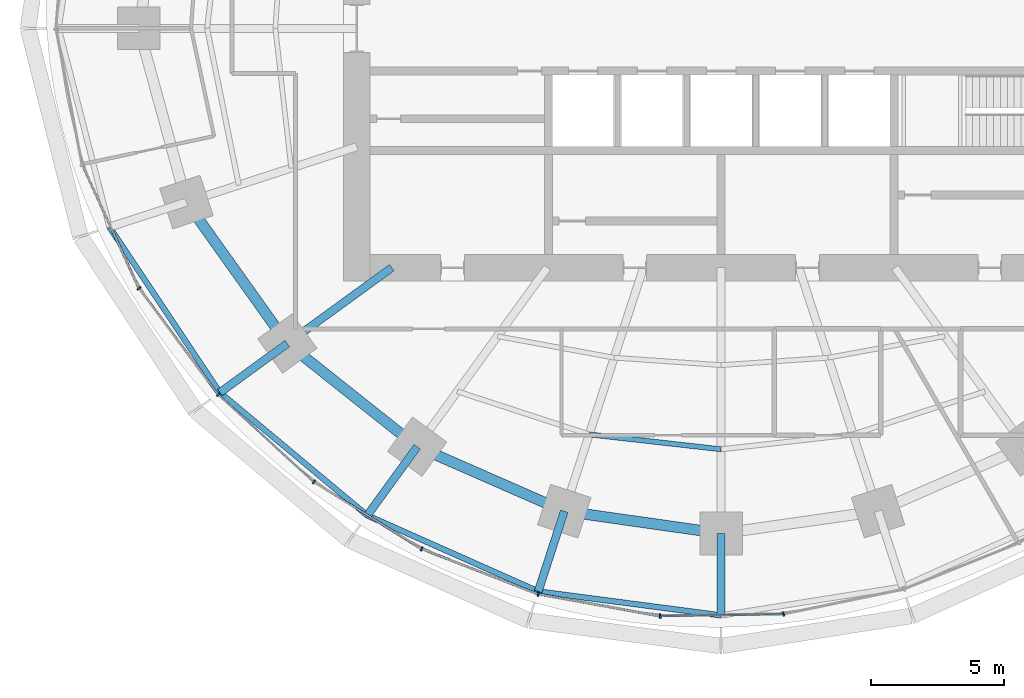
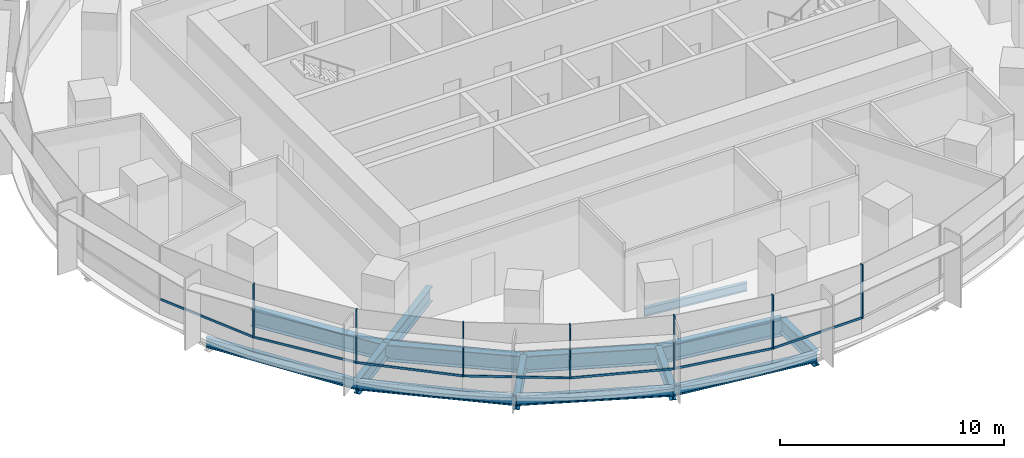
# One storey, part 2 of 14: 14 beams, 14 members, 2 elements without a shape of their own.
"""IFC4 building model written with IfcOpenShell, lengths in metres."""

from ifc_helpers import new_model, si_unit, direction, frame, origin, origin_2d, place, context, subcontext, project, spatial, rectangle, i_section, extrude, material, material_profile, profile_set, type_object, element, aggregate, save


model = new_model("IFC4")

# Units and contexts
model_context = context("Model", 3, precision=1e-05, world=origin(), true_north=direction((0.0, 1.0)))
body_context = subcontext(model_context, "Body", "Model", "MODEL_VIEW")
ifc_project = project(units=[si_unit("LENGTHUNIT", "METRE"), si_unit("AREAUNIT", "SQUARE_METRE"), si_unit("VOLUMEUNIT", "CUBIC_METRE"), si_unit("PLANEANGLEUNIT", "RADIAN"), si_unit("MASSUNIT", "GRAM", prefix="KILO")], contexts=[model_context])

# Site, building, storey
site_placement = place(None, origin())
site = spatial("IfcSite", under=ifc_project, at=site_placement, CompositionType="ELEMENT")
building_placement = place(site_placement, origin())
building = spatial("IfcBuilding", under=site, at=building_placement, Name="Marramba Exchange Tower", CompositionType="ELEMENT")
storey_placement = place(building_placement, frame((0.0, 0.0, 150.89990234375)))
storey = spatial("IfcBuildingStorey", under=building, at=storey_placement, Name="L36", CompositionType="ELEMENT", Elevation=150.89990234375)

# Beams
ifc_material_1 = material(Name="Steel AS/NZS 3679.2 grade 300", Category="steel")
ifc_material_profile_1 = material_profile(ifc_material_1, i_section(OverallWidth=0.300048828125, OverallDepth=0.800048828125, WebThickness=0.013916015625, FlangeThickness=0.031982421875, at=origin_2d()), Name="800WB192")
ifc_profile_set_1 = profile_set([ifc_material_profile_1], Name="Steel AS/NZS 3679.2 grade 300")
beam_type_1 = type_object("IfcBeamType", Name="Cantilever girder 800WB192", PredefinedType="BEAM", material=ifc_profile_set_1)
beam_1_placement = place(storey_placement, frame((-16.3154296875, -11.853759765625, -0.559814453125), z_axis=(-0.809025813822, -0.587773113173, 0.0), x_axis=(0.587773113173, -0.809025813822, 0.0)))
element("IfcBeam", 1, at=beam_1_placement, inside=storey, type_object=beam_type_1, Name="Cantilever girder L36 TC13", PredefinedType="BEAM", context=body_context, shape_type="SweptSolid", body=[
    extrude(i_section(OverallWidth=0.300048828125, OverallDepth=0.800048828125, WebThickness=0.013916015625, FlangeThickness=0.031982421875, at=origin_2d()), origin(), (0.0, 0.0, 1.0), 3.132568359375),
])
beam_2_placement = place(storey_placement, frame((-11.430419921875, -15.732666015625, -0.559814453125), z_axis=(-0.587767308424, -0.809030031054, 0.0), x_axis=(0.809030031054, -0.587767308424, 0.0)))
element("IfcBeam", 2, at=beam_2_placement, inside=storey, type_object=beam_type_1, Name="Cantilever girder L36 TC14", PredefinedType="BEAM", context=body_context, shape_type="SweptSolid", body=[
    extrude(i_section(OverallWidth=0.300048828125, OverallDepth=0.800048828125, WebThickness=0.013916015625, FlangeThickness=0.031982421875, at=origin_2d()), origin(), (0.0, 0.0, 1.0), 3.195556640625),
])
beam_3_placement = place(storey_placement, frame((-5.899658203125, -18.156982421875, -0.559814453125), z_axis=(-0.309018232614, -0.951056113966, 0.0), x_axis=(0.951056113966, -0.309018232614, 0.0)))
element("IfcBeam", 3, at=beam_3_placement, inside=storey, type_object=beam_type_1, Name="Cantilever girder L36 TC15", PredefinedType="BEAM", context=body_context, shape_type="SweptSolid", body=[
    extrude(i_section(OverallWidth=0.300048828125, OverallDepth=0.800048828125, WebThickness=0.013916015625, FlangeThickness=0.031982421875, at=origin_2d()), origin(), (0.0, 0.0, 1.0), 3.173583984375),
])
beam_4_placement = place(storey_placement, frame((0.0, -18.99609375, -0.559814453125), z_axis=(0.0, -1.0, 0.0), x_axis=(1.0, 0.0, 0.0)))
element("IfcBeam", 4, at=beam_4_placement, inside=storey, type_object=beam_type_1, Name="Cantilever girder L36 TC16", PredefinedType="BEAM", context=body_context, shape_type="SweptSolid", body=[
    extrude(i_section(OverallWidth=0.300048828125, OverallDepth=0.800048828125, WebThickness=0.013916015625, FlangeThickness=0.031982421875, at=origin_2d()), origin(), (0.0, 0.0, 1.0), 3.080810546875),
])
ifc_material_2 = material(Name="Steel AS/NZS 3679.1 grade 300", Category="steel")
ifc_material_profile_2 = material_profile(ifc_material_2, i_section(OverallWidth=0.18994140625, OverallDepth=0.4541015625, WebThickness=0.008544921875, FlangeThickness=0.0126953125, FilletRadius=0.011474609375, at=origin_2d()), Name="460UB67.1")
ifc_profile_set_2 = profile_set([ifc_material_profile_2], Name="Steel AS/NZS 3679.1 grade 300")
beam_type_2 = type_object("IfcBeamType", Name="Floor joist 460UB67.1", PredefinedType="JOIST", material=ifc_profile_set_2)
beam_5_placement = place(storey_placement, frame((-4.9619140625, -15.271484375, -0.386962890625), z_axis=(0.993712018573, -0.111966174106, 0.0), x_axis=(0.111966174106, 0.993712018573, 0.0)))
element("IfcBeam", 5, at=beam_5_placement, inside=storey, type_object=beam_type_2, Name="Joist L36 bay 15 row 2", PredefinedType="JOIST", context=body_context, shape_type="SweptSolid", body=[
    extrude(i_section(OverallWidth=0.18994140625, OverallDepth=0.4541015625, WebThickness=0.008544921875, FlangeThickness=0.0126953125, FilletRadius=0.011474609375, at=origin_2d()), origin(), (0.0, 0.0, 1.0), 4.993408203125),
])

# Curtain wall, members
ifc_material_3 = material(Name="Aluminium framing, bronze anodised", Category="aluminium")
curtain_wall_type = type_object("IfcCurtainWallType", Name="Office ribbon curtain wall", PredefinedType="USERDEFINED", material=ifc_material_3)
curtain_wall_1_placement = place(storey_placement, origin())
curtain_wall_1 = element("IfcCurtainWall", 6, at=curtain_wall_1_placement, inside=storey, type_object=curtain_wall_type, Name="Curtain wall CW4 L36 F16-F20", ObjectType="RIBBON CURTAIN WALL", PredefinedType="USERDEFINED")
ifc_material_4 = material(Name="Aluminium mullion, bronze anodised", Category="aluminium")
ifc_material_profile_3 = material_profile(ifc_material_4, rectangle(XDim=0.159912109375, YDim=0.06005859375, at=origin_2d()), Name="CW4 mullion 60x160")
ifc_profile_set_3 = profile_set([ifc_material_profile_3], Name="Aluminium mullion, bronze anodised")
member_type_1 = type_object("IfcMemberType", Name="Office ribbon curtain wall mullion", PredefinedType="MULLION", material=ifc_profile_set_3)
member_1_placement = place(storey_placement, frame((-21.891357421875, -9.778564453125, 0.800048828125), z_axis=(0.0, 0.0, 1.0), x_axis=(0.802014400683, 0.597304697033, 0.0)))
member_1 = element("IfcMember", 7, at=member_1_placement, type_object=member_type_1, Name="CW4 mullion 1", PredefinedType="MULLION", context=body_context, shape_type="SweptSolid", body=[
    extrude(rectangle(XDim=0.159912109375, YDim=0.06005859375, at=origin_2d()), origin(), (0.0, 0.0, 1.0), 2.93994140625),
])
member_2_placement = place(storey_placement, frame((-18.90869140625, -13.774169921875, 0.800048828125), z_axis=(0.0, 0.0, 1.0), x_axis=(0.674995455115, 0.737821886077, 0.0)))
member_2 = element("IfcMember", 8, at=member_2_placement, type_object=member_type_1, Name="CW4 mullion 1", PredefinedType="MULLION", context=body_context, shape_type="SweptSolid", body=[
    extrude(rectangle(XDim=0.159912109375, YDim=0.06005859375, at=origin_2d()), origin(), (0.0, 0.0, 1.0), 2.93994140625),
])
member_3_placement = place(storey_placement, frame((-15.315673828125, -17.053955078125, 0.800048828125), z_axis=(0.0, 0.0, 1.0), x_axis=(0.52942844364, 0.84835459748, 0.0)))
member_3 = element("IfcMember", 9, at=member_3_placement, type_object=member_type_1, Name="CW4 mullion 1", PredefinedType="MULLION", context=body_context, shape_type="SweptSolid", body=[
    extrude(rectangle(XDim=0.159912109375, YDim=0.06005859375, at=origin_2d()), origin(), (0.0, 0.0, 1.0), 2.93994140625),
])

curtain_wall_2_placement = place(storey_placement, origin())
curtain_wall_2 = element("IfcCurtainWall", 10, at=curtain_wall_2_placement, inside=storey, type_object=curtain_wall_type, Name="Curtain wall CW4 L36 F21-F25", ObjectType="RIBBON CURTAIN WALL", PredefinedType="USERDEFINED")
member_4_placement = place(storey_placement, frame((-11.266845703125, -19.573974609375, 0.800048828125), z_axis=(0.0, 0.0, 1.0), x_axis=(0.36292490603, 0.931818390344, 0.0)))
member_4 = element("IfcMember", 11, at=member_4_placement, type_object=member_type_1, Name="CW4 mullion 1", PredefinedType="MULLION", context=body_context, shape_type="SweptSolid", body=[
    extrude(rectangle(XDim=0.159912109375, YDim=0.06005859375, at=origin_2d()), origin(), (0.0, 0.0, 1.0), 2.93994140625),
])
member_5_placement = place(storey_placement, frame((-6.881591796875, -21.27587890625, 0.800048828125), z_axis=(0.0, 0.0, 1.0), x_axis=(0.177992379115, 0.984031865834, 0.0)))
member_5 = element("IfcMember", 12, at=member_5_placement, type_object=member_type_1, Name="CW4 mullion 1", PredefinedType="MULLION", context=body_context, shape_type="SweptSolid", body=[
    extrude(rectangle(XDim=0.159912109375, YDim=0.06005859375, at=origin_2d()), origin(), (0.0, 0.0, 1.0), 2.93994140625),
])
member_6_placement = place(storey_placement, frame((-2.292724609375, -22.099853515625, 0.800048828125), z_axis=(0.0, 0.0, 1.0), x_axis=(-0.015178646521, 0.999884797709, 0.0)))
member_6 = element("IfcMember", 13, at=member_6_placement, type_object=member_type_1, Name="CW4 mullion 1", PredefinedType="MULLION", context=body_context, shape_type="SweptSolid", body=[
    extrude(rectangle(XDim=0.159912109375, YDim=0.06005859375, at=origin_2d()), origin(), (0.0, 0.0, 1.0), 2.93994140625),
])
member_7_placement = place(storey_placement, frame((2.3447265625, -22.02392578125, 0.800048828125), z_axis=(0.0, 0.0, 1.0), x_axis=(-0.202364850159, 0.979310199794, 0.0)))
member_7 = element("IfcMember", 14, at=member_7_placement, type_object=member_type_1, Name="CW4 mullion 1", PredefinedType="MULLION", context=body_context, shape_type="SweptSolid", body=[
    extrude(rectangle(XDim=0.159912109375, YDim=0.06005859375, at=origin_2d()), origin(), (0.0, 0.0, 1.0), 2.93994140625),
])

# Member
ifc_material_5 = material(Name="Aluminium transom, bronze anodised", Category="aluminium")
ifc_material_profile_4 = material_profile(ifc_material_5, rectangle(XDim=0.06005859375, YDim=0.1201171875, at=origin_2d()), Name="CW4 transom 60x120")
ifc_profile_set_4 = profile_set([ifc_material_profile_4], Name="Aluminium transom, bronze anodised")
member_type_2 = type_object("IfcMemberType", Name="Office ribbon curtain wall transom", PredefinedType="USERDEFINED", material=ifc_profile_set_4)
member_8_placement = place(storey_placement, frame((-24.013671875, -5.1640625, 0.830078125), z_axis=(0.416732948599, -0.909028959688, 0.0), x_axis=(0.909028959688, 0.416732948599, 0.0)))
member_8 = element("IfcMember", 15, at=member_8_placement, type_object=member_type_2, Name="CW4 sill transom", ObjectType="TRANSOM", PredefinedType="USERDEFINED", context=body_context, shape_type="SweptSolid", body=[
    extrude(rectangle(XDim=0.06005859375, YDim=0.1201171875, at=origin_2d()), origin(), (0.0, 0.0, 1.0), 5.050048828125),
])

member_9_placement = place(storey_placement, frame((-21.873291015625, -9.802734375, 0.830078125), z_axis=(0.597300736643, -0.80201735019, 0.0), x_axis=(0.80201735019, 0.597300736643, 0.0)))
member_9 = element("IfcMember", 16, at=member_9_placement, type_object=member_type_2, Name="CW4 sill transom", ObjectType="TRANSOM", PredefinedType="USERDEFINED", context=body_context, shape_type="SweptSolid", body=[
    extrude(rectangle(XDim=0.06005859375, YDim=0.1201171875, at=origin_2d()), origin(), (0.0, 0.0, 1.0), 4.926513671875),
])

member_10_placement = place(storey_placement, frame((-18.886474609375, -13.79443359375, 0.830078125), z_axis=(0.737807565469, -0.675011108306, 0.0), x_axis=(0.675011108306, 0.737807565469, 0.0)))
member_10 = element("IfcMember", 17, at=member_10_placement, type_object=member_type_2, Name="CW4 sill transom", ObjectType="TRANSOM", PredefinedType="USERDEFINED", context=body_context, shape_type="SweptSolid", body=[
    extrude(rectangle(XDim=0.06005859375, YDim=0.1201171875, at=origin_2d()), origin(), (0.0, 0.0, 1.0), 4.805419921875),
])

member_11_placement = place(storey_placement, frame((-15.2900390625, -17.06982421875, 0.830078125), z_axis=(0.848373790728, -0.529397687193, 0.0), x_axis=(0.529397687193, 0.848373790728, 0.0)))
member_11 = element("IfcMember", 18, at=member_11_placement, type_object=member_type_2, Name="CW4 sill transom", ObjectType="TRANSOM", PredefinedType="USERDEFINED", context=body_context, shape_type="SweptSolid", body=[
    extrude(rectangle(XDim=0.06005859375, YDim=0.1201171875, at=origin_2d()), origin(), (0.0, 0.0, 1.0), 4.70947265625),
])

aggregate(curtain_wall_1, [member_8, member_1, member_9, member_2, member_10, member_3, member_11])

member_12_placement = place(storey_placement, frame((-11.23876953125, -19.5849609375, 0.830078125), z_axis=(0.931817106708, -0.362928201778, 0.0), x_axis=(0.362928201778, 0.931817106708, 0.0)))
member_12 = element("IfcMember", 19, at=member_12_placement, type_object=member_type_2, Name="CW4 sill transom", ObjectType="TRANSOM", PredefinedType="USERDEFINED", context=body_context, shape_type="SweptSolid", body=[
    extrude(rectangle(XDim=0.06005859375, YDim=0.1201171875, at=origin_2d()), origin(), (0.0, 0.0, 1.0), 4.644287109375),
])

member_13_placement = place(storey_placement, frame((-6.85205078125, -21.281005859375, 0.830078125), z_axis=(0.98402906811, -0.178007845654, 0.0), x_axis=(0.178007845654, 0.98402906811, 0.0)))
member_13 = element("IfcMember", 20, at=member_13_placement, type_object=member_type_2, Name="CW4 sill transom", ObjectType="TRANSOM", PredefinedType="USERDEFINED", context=body_context, shape_type="SweptSolid", body=[
    extrude(rectangle(XDim=0.06005859375, YDim=0.1201171875, at=origin_2d()), origin(), (0.0, 0.0, 1.0), 4.602783203125),
])

member_14_placement = place(storey_placement, frame((-2.262939453125, -22.099365234375, 0.830078125), z_axis=(0.999885345665, 0.015142507235, 0.0), x_axis=(-0.015142507235, 0.999885345665, 0.0)))
member_14 = element("IfcMember", 21, at=member_14_placement, type_object=member_type_2, Name="CW4 sill transom", ObjectType="TRANSOM", PredefinedType="USERDEFINED", context=body_context, shape_type="SweptSolid", body=[
    extrude(rectangle(XDim=0.06005859375, YDim=0.1201171875, at=origin_2d()), origin(), (0.0, 0.0, 1.0), 4.578857421875),
])

aggregate(curtain_wall_2, [member_4, member_12, member_5, member_13, member_6, member_14, member_7])

# Beams
ifc_material_profile_5 = material_profile(ifc_material_1, i_section(OverallWidth=0.300048828125, OverallDepth=0.800048828125, WebThickness=0.013916015625, FlangeThickness=0.031982421875, at=origin_2d()), Name="800WB192")
ifc_profile_set_5 = profile_set([ifc_material_profile_5], Name="Steel AS/NZS 3679.2 grade 300")
beam_type_3 = type_object("IfcBeamType", Name="Radial girder 800WB192", PredefinedType="BEAM", material=ifc_profile_set_5)
beam_6_placement = place(storey_placement, frame((-12.387451171875, -9.0, -0.559814453125), z_axis=(-0.809025189606, -0.58777397236, 0.0), x_axis=(0.58777397236, -0.809025189606, 0.0)))
element("IfcBeam", 22, at=beam_6_placement, inside=storey, type_object=beam_type_3, Name="Radial girder L36 TC13", PredefinedType="BEAM", context=body_context, shape_type="SweptSolid", body=[
    extrude(i_section(OverallWidth=0.300048828125, OverallDepth=0.800048828125, WebThickness=0.013916015625, FlangeThickness=0.031982421875, at=origin_2d()), origin(), (0.0, 0.0, 1.0), 4.855224609375),
])
ifc_material_profile_6 = material_profile(ifc_material_1, i_section(OverallWidth=0.39990234375, OverallDepth=0.89990234375, WebThickness=0.01611328125, FlangeThickness=0.031982421875, at=origin_2d()), Name="900WB282")
ifc_profile_set_6 = profile_set([ifc_material_profile_6], Name="Steel AS/NZS 3679.2 grade 300")
beam_type_4 = type_object("IfcBeamType", Name="Ring beam 900WB282", PredefinedType="SPANDREL", material=ifc_profile_set_6)
beam_7_placement = place(storey_placement, frame((-20.109375, -6.533935546875, -0.60986328125), z_axis=(0.580637181111, -0.814162430914, 0.0), x_axis=(0.814162430914, 0.580637181111, 0.0)))
element("IfcBeam", 23, at=beam_7_placement, inside=storey, type_object=beam_type_4, Name="Ring beam L36 TC12-TC13", PredefinedType="SPANDREL", context=body_context, shape_type="SweptSolid", body=[
    extrude(i_section(OverallWidth=0.39990234375, OverallDepth=0.89990234375, WebThickness=0.01611328125, FlangeThickness=0.031982421875, at=origin_2d()), origin(), (0.0, 0.0, 1.0), 6.5341796875),
])
beam_8_placement = place(storey_placement, frame((-16.3154296875, -11.853759765625, -0.60986328125), z_axis=(0.783139438128, -0.621846138887, 0.0), x_axis=(0.621846138887, 0.783139438128, 0.0)))
element("IfcBeam", 24, at=beam_8_placement, inside=storey, type_object=beam_type_4, Name="Ring beam L36 TC13-TC14", PredefinedType="SPANDREL", context=body_context, shape_type="SweptSolid", body=[
    extrude(i_section(OverallWidth=0.39990234375, OverallDepth=0.89990234375, WebThickness=0.01611328125, FlangeThickness=0.031982421875, at=origin_2d()), origin(), (0.0, 0.0, 1.0), 6.23779296875),
])
beam_9_placement = place(storey_placement, frame((-11.430419921875, -15.732666015625, -0.60986328125), z_axis=(0.915876892158, -0.4014592363, 0.0), x_axis=(0.4014592363, 0.915876892158, 0.0)))
element("IfcBeam", 25, at=beam_9_placement, inside=storey, type_object=beam_type_4, Name="Ring beam L36 TC14-TC15", PredefinedType="SPANDREL", context=body_context, shape_type="SweptSolid", body=[
    extrude(i_section(OverallWidth=0.39990234375, OverallDepth=0.89990234375, WebThickness=0.01611328125, FlangeThickness=0.031982421875, at=origin_2d()), origin(), (0.0, 0.0, 1.0), 6.038818359375),
])
beam_10_placement = place(storey_placement, frame((-5.899658203125, -18.156982421875, -0.60986328125), z_axis=(0.990036163016, -0.140813337152, 0.0), x_axis=(0.140813337152, 0.990036163016, 0.0)))
element("IfcBeam", 26, at=beam_10_placement, inside=storey, type_object=beam_type_4, Name="Ring beam L36 TC15-TC16", PredefinedType="SPANDREL", context=body_context, shape_type="SweptSolid", body=[
    extrude(i_section(OverallWidth=0.39990234375, OverallDepth=0.89990234375, WebThickness=0.01611328125, FlangeThickness=0.031982421875, at=origin_2d()), origin(), (0.0, 0.0, 1.0), 5.958984375),
])
ifc_material_profile_7 = material_profile(ifc_material_2, i_section(OverallWidth=0.208984375, OverallDepth=0.528076171875, WebThickness=0.009521484375, FlangeThickness=0.01318359375, FilletRadius=0.013916015625, at=origin_2d()), Name="530UB82.0")
ifc_profile_set_7 = profile_set([ifc_material_profile_7], Name="Steel AS/NZS 3679.1 grade 300")
beam_type_5 = type_object("IfcBeamType", Name="Slab edge beam 530UB82.0", PredefinedType="SPANDREL", material=ifc_profile_set_7)
beam_11_placement = place(storey_placement, frame((-23.00341796875, -7.47412109375, -0.423828125), z_axis=(0.555280023791, -0.831663450669, 0.0), x_axis=(0.831663450669, 0.555280023791, 0.0)))
element("IfcBeam", 27, at=beam_11_placement, inside=storey, type_object=beam_type_5, Name="Slab edge beam L36 TC12-TC13", PredefinedType="SPANDREL", context=body_context, shape_type="SweptSolid", body=[
    extrude(i_section(OverallWidth=0.208984375, OverallDepth=0.528076171875, WebThickness=0.009521484375, FlangeThickness=0.01318359375, FilletRadius=0.013916015625, at=origin_2d()), origin(), (0.0, 0.0, 1.0), 7.480224609375),
])
beam_12_placement = place(storey_placement, frame((-18.849853515625, -13.695068359375, -0.423828125), z_axis=(0.767874532322, -0.640600267415, 0.0), x_axis=(0.640600267415, 0.767874532322, 0.0)))
element("IfcBeam", 28, at=beam_12_placement, inside=storey, type_object=beam_type_5, Name="Slab edge beam L36 TC13-TC14", PredefinedType="SPANDREL", context=body_context, shape_type="SweptSolid", body=[
    extrude(i_section(OverallWidth=0.208984375, OverallDepth=0.528076171875, WebThickness=0.009521484375, FlangeThickness=0.01318359375, FilletRadius=0.013916015625, at=origin_2d()), origin(), (0.0, 0.0, 1.0), 7.21630859375),
])
beam_13_placement = place(storey_placement, frame((-13.30859375, -18.31787109375, -0.423828125), z_axis=(0.913788648873, -0.406189986571, 0.0), x_axis=(0.406189986571, 0.913788648873, 0.0)))
element("IfcBeam", 29, at=beam_13_placement, inside=storey, type_object=beam_type_5, Name="Slab edge beam L36 TC14-TC15", PredefinedType="SPANDREL", context=body_context, shape_type="SweptSolid", body=[
    extrude(i_section(OverallWidth=0.208984375, OverallDepth=0.528076171875, WebThickness=0.009521484375, FlangeThickness=0.01318359375, FilletRadius=0.013916015625, at=origin_2d()), origin(), (0.0, 0.0, 1.0), 7.03466796875),
])
beam_14_placement = place(storey_placement, frame((-6.88037109375, -21.17529296875, -0.423828125), z_axis=(0.991523133546, -0.129930272237, 0.0), x_axis=(0.129930272237, 0.991523133546, 0.0)))
element("IfcBeam", 30, at=beam_14_placement, inside=storey, type_object=beam_type_5, Name="Slab edge beam L36 TC15-TC16", PredefinedType="SPANDREL", context=body_context, shape_type="SweptSolid", body=[
    extrude(i_section(OverallWidth=0.208984375, OverallDepth=0.528076171875, WebThickness=0.009521484375, FlangeThickness=0.01318359375, FilletRadius=0.013916015625, at=origin_2d()), origin(), (0.0, 0.0, 1.0), 6.939208984375),
])

save(model, "model.ifc")
